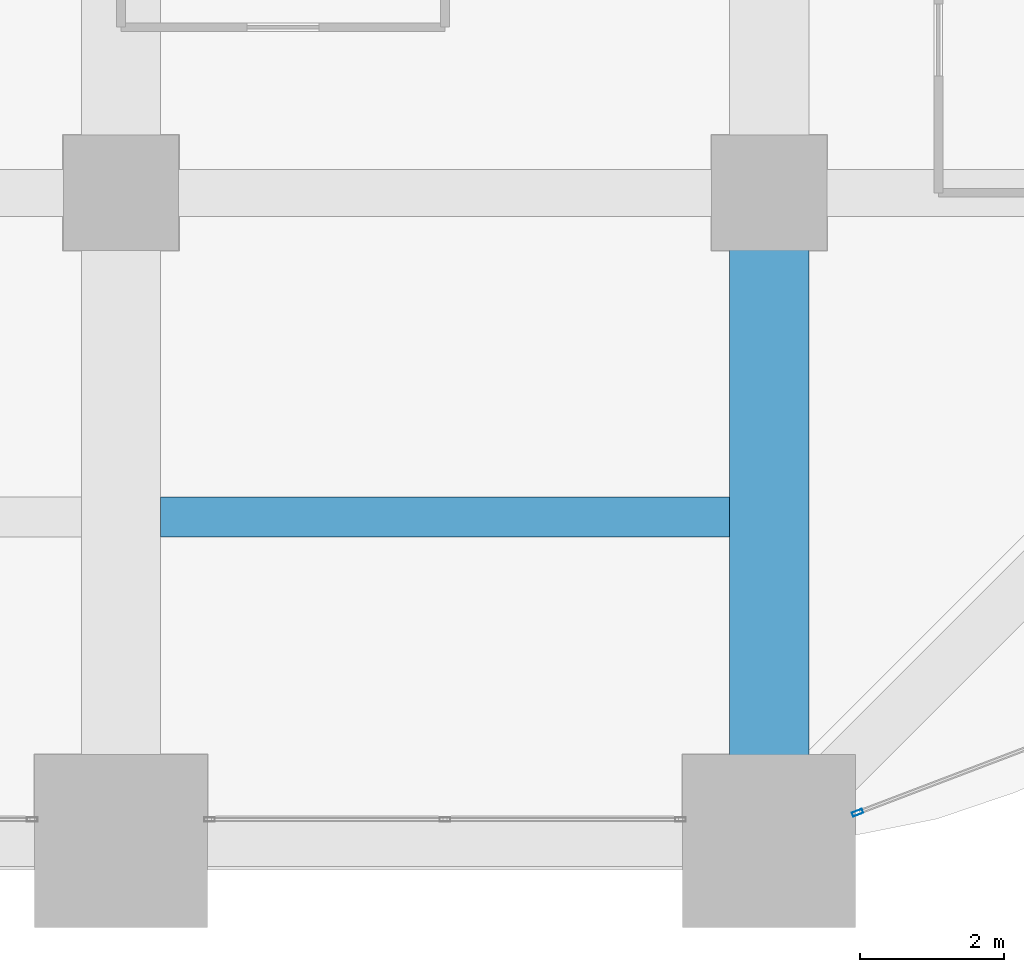
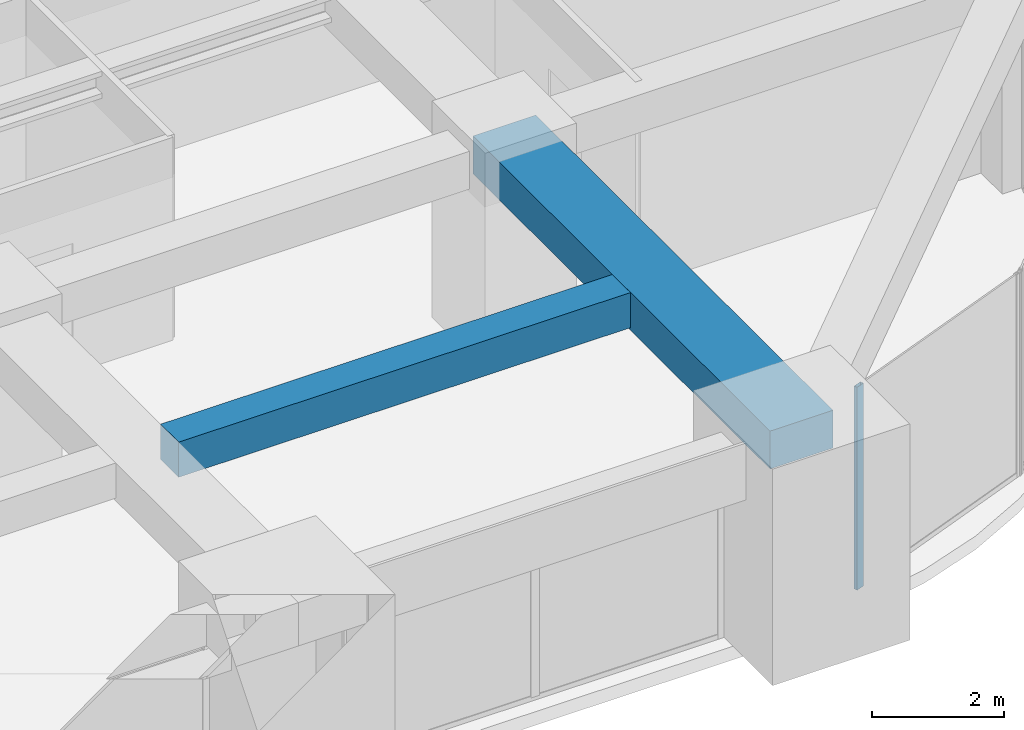
# One storey, part 14 of 32: 2 beams, 1 member, 1 element without a shape of its own.
"""IFC4 building model written with IfcOpenShell, lengths in metres."""

from ifc_helpers import new_model, si_unit, direction, frame, origin, origin_2d, place, context, subcontext, project, spatial, rectangle, hollow_rectangle, extrude, material, material_profile, profile_set, type_object, element, aggregate, save


model = new_model("IFC4")

# Units and contexts
model_context = context("Model", 3, precision=1e-05, world=origin(), true_north=direction((0.0, 1.0)))
body_context = subcontext(model_context, "Body", "Model", "MODEL_VIEW")
ifc_project = project(units=[si_unit("LENGTHUNIT", "METRE"), si_unit("AREAUNIT", "SQUARE_METRE"), si_unit("VOLUMEUNIT", "CUBIC_METRE"), si_unit("PLANEANGLEUNIT", "RADIAN"), si_unit("MASSUNIT", "GRAM", prefix="KILO")], contexts=[model_context])

# Site, building, storey
site_placement = place(None, origin())
site = spatial("IfcSite", under=ifc_project, at=site_placement, CompositionType="ELEMENT")
building_placement = place(site_placement, origin())
building = spatial("IfcBuilding", under=site, at=building_placement, Name="Zorevar Civic Tower", CompositionType="ELEMENT")
storey_placement = place(building_placement, frame((0.0, 0.0, 190.199951171875)))
storey = spatial("IfcBuildingStorey", under=building, at=storey_placement, Name="L46", CompositionType="ELEMENT", Elevation=190.199951171875)

# Beams
ifc_material_1 = material(Name="Concrete C50/60", Category="concrete")
ifc_material_profile_1 = material_profile(ifc_material_1, rectangle(XDim=1.10009765625, YDim=0.699951171875, at=origin_2d()), Name="RC 1100x700")
ifc_profile_set_1 = profile_set([ifc_material_profile_1], Name="Concrete C50/60")
beam_type_1 = type_object("IfcBeamType", Name="Beam RC 1100x700", PredefinedType="BEAM", material=ifc_profile_set_1)
beam_1_placement = place(storey_placement, frame((45.0, 0.0, 3.400146484375), z_axis=(0.0, 1.0, 0.0), x_axis=(-1.0, 0.0, 0.0)))
element("IfcBeam", 1, at=beam_1_placement, inside=storey, type_object=beam_type_1, Name="Girder L47", PredefinedType="BEAM", context=body_context, shape_type="SweptSolid", body=[
    extrude(rectangle(XDim=1.10009765625, YDim=0.699951171875, at=origin_2d()), origin(), (0.0, 0.0, 1.0), 9.0),
])
ifc_material_2 = material(Name="Concrete C50/60", Category="concrete")
ifc_material_profile_2 = material_profile(ifc_material_2, rectangle(XDim=0.550048828125, YDim=0.64990234375, at=origin_2d()), Name="RC 550x650")
ifc_profile_set_2 = profile_set([ifc_material_profile_2], Name="Concrete C50/60")
beam_type_2 = type_object("IfcBeamType", Name="Beam RC 550x650", PredefinedType="BEAM", material=ifc_profile_set_2)
beam_2_placement = place(storey_placement, frame((36.550048828125, 4.5, 3.425048828125), z_axis=(1.0, 0.0, 0.0), x_axis=(0.0, 1.0, 0.0)))
element("IfcBeam", 2, at=beam_2_placement, inside=storey, type_object=beam_type_2, Name="Secondary beam L47", PredefinedType="BEAM", context=body_context, shape_type="SweptSolid", body=[
    extrude(rectangle(XDim=0.550048828125, YDim=0.64990234375, at=origin_2d()), origin(), (0.0, 0.0, 1.0), 7.89990234375),
])

# Curtain wall, member
ifc_material_3 = material(Name="Dark grey solar-control glass in black aluminium frame", Category="aluminium")
curtain_wall_type = type_object("IfcCurtainWallType", Name="Curtain wall CW4 high zone", PredefinedType="NOTDEFINED", material=ifc_material_3)
curtain_wall_placement = place(storey_placement, origin())
curtain_wall = element("IfcCurtainWall", 3, at=curtain_wall_placement, inside=storey, type_object=curtain_wall_type, Name="CW4 L46", PredefinedType="NOTDEFINED")
ifc_material_4 = material(Name="Aluminium, black anodised", Category="aluminium")
ifc_material_profile_3 = material_profile(ifc_material_4, hollow_rectangle(XDim=0.06005859375, YDim=0.14990234375, WallThickness=0.00390625, at=origin_2d()), Name="AL 150x60x4")
ifc_profile_set_3 = profile_set([ifc_material_profile_3], Name="Aluminium, black anodised")
member_type = type_object("IfcMemberType", Name="CW4 mullion AL 150x60x4", PredefinedType="MULLION", material=ifc_profile_set_3)
member_placement = place(storey_placement, frame((46.22802734375, 0.393798828125, 0.0), z_axis=(0.0, 0.0, 1.0), x_axis=(-0.355730895803, 0.93458842801, 0.0)))
member = element("IfcMember", 4, at=member_placement, type_object=member_type, Name="CW4 mullion 1", PredefinedType="MULLION", context=body_context, shape_type="SweptSolid", body=[
    extrude(hollow_rectangle(XDim=0.06005859375, YDim=0.14990234375, WallThickness=0.00390625, at=origin_2d()), origin(), (0.0, 0.0, 1.0), 3.75),
])
aggregate(curtain_wall, [member])

save(model, "model.ifc")
